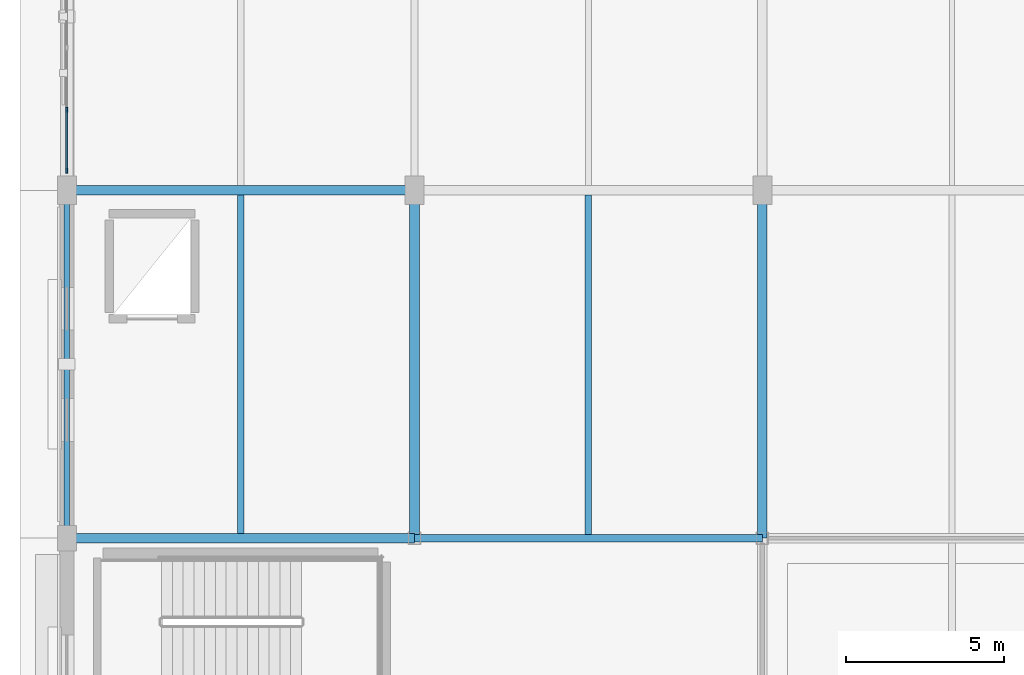
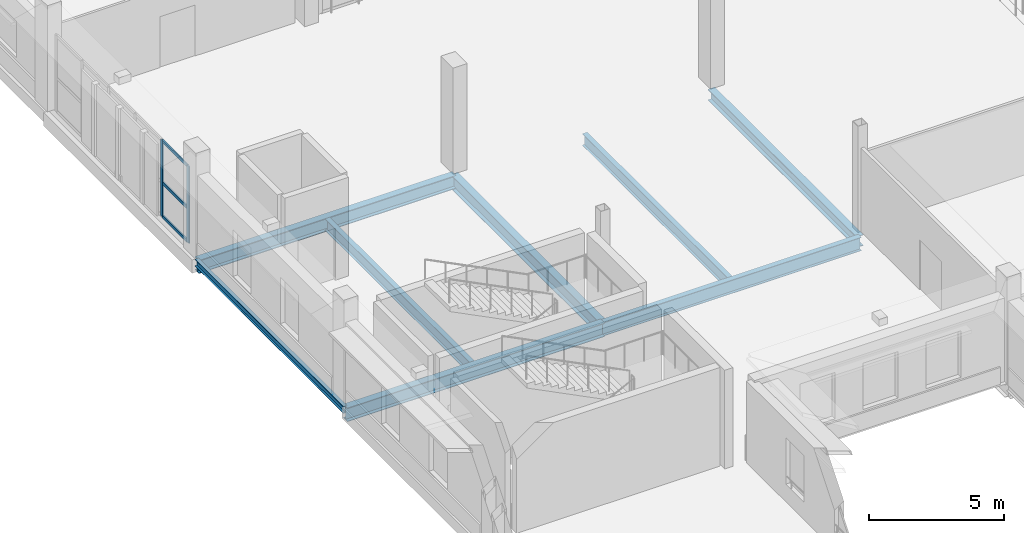
# One storey, part 26 of 143: 8 beams, 5 members, 1 element without a shape of its own.
"""IFC4 building model written with IfcOpenShell, lengths in metres."""

from ifc_helpers import new_model, si_unit, direction, frame, origin, origin_2d, place, context, subcontext, project, spatial, rectangle, i_section, extrude, material, material_profile, profile_set, type_object, element, aggregate, save


model = new_model("IFC4")

# Units and contexts
model_context = context("Model", 3, precision=1e-05, world=origin(), true_north=direction((0.0, 1.0)))
body_context = subcontext(model_context, "Body", "Model", "MODEL_VIEW")
ifc_project = project(units=[si_unit("LENGTHUNIT", "METRE"), si_unit("AREAUNIT", "SQUARE_METRE"), si_unit("VOLUMEUNIT", "CUBIC_METRE"), si_unit("PLANEANGLEUNIT", "RADIAN"), si_unit("MASSUNIT", "GRAM", prefix="KILO")], contexts=[model_context])

# Site, building, storey
site_placement = place(None, origin())
site = spatial("IfcSite", under=ifc_project, at=site_placement, CompositionType="ELEMENT")
building_placement = place(site_placement, origin())
building = spatial("IfcBuilding", under=site, at=building_placement, Name="Luwafu Chhajja Arena", CompositionType="ELEMENT")
storey_placement = place(building_placement, frame((0.0, 0.0, 5.39990234375)))
storey = spatial("IfcBuildingStorey", under=building, at=storey_placement, Name="L01", CompositionType="ELEMENT", Elevation=5.39990234375)

# Curtain wall, members
ifc_material_1 = material(Name="Anodised bronze aluminium", Category="aluminium")
curtain_wall_type = type_object("IfcCurtainWallType", Name="Bowl Concourse Chord Curtain Wall", PredefinedType="USERDEFINED", material=ifc_material_1)
curtain_wall_placement = place(storey_placement, origin())
curtain_wall = element("IfcCurtainWall", 1, at=curtain_wall_placement, inside=storey, type_object=curtain_wall_type, Name="L01 Curtain Wall CWG-L01-V00_04", ObjectType="CURTAIN WALL", PredefinedType="USERDEFINED")
ifc_material_profile_1 = material_profile(ifc_material_1, rectangle(XDim=0.06005859375, YDim=0.159912109375, at=origin_2d()), Name="CWM 60x160")
ifc_profile_set_1 = profile_set([ifc_material_profile_1], Name="Anodised bronze aluminium")
member_type_1 = type_object("IfcMemberType", Name="Bronze Curtain Wall Mullion 60x160", PredefinedType="MULLION", material=ifc_profile_set_1)
member_1_placement = place(storey_placement, frame((0.0, 44.6201171875, 0.030029296875), z_axis=(0.0, 0.0, 1.0), x_axis=(-1.0, 0.0, 0.0)))
member_1 = element("IfcMember", 2, at=member_1_placement, type_object=member_type_1, Name="CW-01 mullion 1", PredefinedType="MULLION", context=body_context, shape_type="SweptSolid", body=[
    extrude(rectangle(XDim=0.06005859375, YDim=0.159912109375, at=origin_2d()), origin(), (0.0, 0.0, 1.0), 3.4599609375),
])
member_2_placement = place(storey_placement, frame((0.0, 46.553955078125, 0.030029296875), z_axis=(0.0, 0.0, 1.0), x_axis=(-1.0, 0.0, 0.0)))
member_2 = element("IfcMember", 3, at=member_2_placement, type_object=member_type_1, Name="CW-01 mullion 2", PredefinedType="MULLION", context=body_context, shape_type="SweptSolid", body=[
    extrude(rectangle(XDim=0.06005859375, YDim=0.159912109375, at=origin_2d()), origin(), (0.0, 0.0, 1.0), 3.4599609375),
])
ifc_material_profile_2 = material_profile(ifc_material_1, rectangle(XDim=0.06005859375, YDim=0.1298828125, at=origin_2d()), Name="CWT 60x130")
ifc_profile_set_2 = profile_set([ifc_material_profile_2], Name="Anodised bronze aluminium")
member_type_2 = type_object("IfcMemberType", Name="Bronze Curtain Wall Transom 60x130", PredefinedType="USERDEFINED", material=ifc_profile_set_2)
member_3_placement = place(storey_placement, frame((0.0, 44.64990234375, 0.06005859375), z_axis=(0.0, 1.0, 0.0), x_axis=(-1.0, 0.0, 0.0)))
member_3 = element("IfcMember", 4, at=member_3_placement, type_object=member_type_2, Name="CW-01 transom 1.1", ObjectType="TRANSOM", PredefinedType="USERDEFINED", context=body_context, shape_type="SweptSolid", body=[
    extrude(rectangle(XDim=0.06005859375, YDim=0.1298828125, at=origin_2d()), origin(), (0.0, 0.0, 1.0), 1.8740234375),
])
member_4_placement = place(storey_placement, frame((0.0, 44.64990234375, 1.570556640625), z_axis=(0.0, 1.0, 0.0), x_axis=(-1.0, 0.0, 0.0)))
member_4 = element("IfcMember", 5, at=member_4_placement, type_object=member_type_2, Name="CW-01 transom 1.2", ObjectType="TRANSOM", PredefinedType="USERDEFINED", context=body_context, shape_type="SweptSolid", body=[
    extrude(rectangle(XDim=0.06005859375, YDim=0.1298828125, at=origin_2d()), origin(), (0.0, 0.0, 1.0), 1.8740234375),
])
member_5_placement = place(storey_placement, frame((0.0, 44.64990234375, 3.460205078125), z_axis=(0.0, 1.0, 0.0), x_axis=(-1.0, 0.0, 0.0)))
member_5 = element("IfcMember", 6, at=member_5_placement, type_object=member_type_2, Name="CW-01 transom 1.3", ObjectType="TRANSOM", PredefinedType="USERDEFINED", context=body_context, shape_type="SweptSolid", body=[
    extrude(rectangle(XDim=0.06005859375, YDim=0.1298828125, at=origin_2d()), origin(), (0.0, 0.0, 1.0), 1.8740234375),
])
aggregate(curtain_wall, [member_1, member_2, member_3, member_4, member_5])

# Beams
ifc_material_2 = material(Name="Steel S355", Category="steel")
ifc_material_profile_3 = material_profile(ifc_material_2, i_section(OverallWidth=0.165771484375, OverallDepth=0.306640625, WebThickness=0.006591796875, FlangeThickness=0.01171875, at=origin_2d()), Name="UB 305x165x46")
ifc_profile_set_3 = profile_set([ifc_material_profile_3], Name="Steel S355")
beam_type_1 = type_object("IfcBeamType", Name="Concourse Edge Spandrel Beam UB 305x165x46", PredefinedType="SPANDREL", material=ifc_profile_set_3)
beam_1_placement = place(storey_placement, frame((0.0, 33.0, -0.483154296875), z_axis=(0.0, 1.0, 0.0), x_axis=(-1.0, 0.0, 0.0)))
element("IfcBeam", 7, at=beam_1_placement, inside=storey, type_object=beam_type_1, Name="L01 Grid Beam 1/D-E", PredefinedType="SPANDREL", context=body_context, shape_type="SweptSolid", body=[
    extrude(i_section(OverallWidth=0.165771484375, OverallDepth=0.306640625, WebThickness=0.006591796875, FlangeThickness=0.01171875, at=origin_2d()), origin(), (0.0, 0.0, 1.0), 11.0),
])
ifc_material_profile_4 = material_profile(ifc_material_2, i_section(OverallWidth=0.2099609375, OverallDepth=0.53662109375, WebThickness=0.0107421875, FlangeThickness=0.017333984375, at=origin_2d()), Name="UB 533x210x101")
ifc_profile_set_4 = profile_set([ifc_material_profile_4], Name="Steel S355")
beam_type_2 = type_object("IfcBeamType", Name="Floor Joist UB 533x210x101", PredefinedType="JOIST", material=ifc_profile_set_4)
beam_2_placement = place(storey_placement, frame((5.5, 33.153564453125, -0.59814453125), z_axis=(0.0, 1.0, 0.0), x_axis=(-1.0, 0.0, 0.0)))
element("IfcBeam", 8, at=beam_2_placement, inside=storey, type_object=beam_type_2, Name="L01 Secondary Joist 1-2/D", PredefinedType="JOIST", context=body_context, shape_type="SweptSolid", body=[
    extrude(i_section(OverallWidth=0.2099609375, OverallDepth=0.53662109375, WebThickness=0.0107421875, FlangeThickness=0.017333984375, at=origin_2d()), origin(), (0.0, 0.0, 1.0), 10.696533203125),
])
ifc_material_profile_5 = material_profile(ifc_material_2, i_section(OverallWidth=0.209228515625, OverallDepth=0.533203125, WebThickness=0.010009765625, FlangeThickness=0.015625, at=origin_2d()), Name="UB 533x210x92")
ifc_profile_set_5 = profile_set([ifc_material_profile_5], Name="Steel S355")
beam_type_3 = type_object("IfcBeamType", Name="Floor Joist UB 533x210x92", PredefinedType="JOIST", material=ifc_profile_set_5)
beam_3_placement = place(storey_placement, frame((16.5, 33.114501953125, -0.596435546875), z_axis=(0.0, 1.0, 0.0), x_axis=(-1.0, 0.0, 0.0)))
element("IfcBeam", 9, at=beam_3_placement, inside=storey, type_object=beam_type_3, Name="L01 Secondary Joist 2-3/D", PredefinedType="JOIST", context=body_context, shape_type="SweptSolid", body=[
    extrude(i_section(OverallWidth=0.209228515625, OverallDepth=0.533203125, WebThickness=0.010009765625, FlangeThickness=0.015625, at=origin_2d()), origin(), (0.0, 0.0, 1.0), 10.735595703125),
])
ifc_material_profile_6 = material_profile(ifc_material_2, i_section(OverallWidth=0.300048828125, OverallDepth=0.5, WebThickness=0.014404296875, FlangeThickness=0.028076171875, at=origin_2d()), Name="HEB 500")
ifc_profile_set_6 = profile_set([ifc_material_profile_6], Name="Steel S355")
beam_type_4 = type_object("IfcBeamType", Name="Steel Atrium Tie Girder HEB 500", PredefinedType="BEAM", material=ifc_profile_set_6)
beam_4_placement = place(storey_placement, frame((22.0, 33.0, -0.579833984375), z_axis=(0.0, 1.0, 0.0), x_axis=(-1.0, 0.0, 0.0)))
element("IfcBeam", 10, at=beam_4_placement, inside=storey, type_object=beam_type_4, Name="L01 Grid Beam 3/D-E", PredefinedType="BEAM", context=body_context, shape_type="SweptSolid", body=[
    extrude(i_section(OverallWidth=0.300048828125, OverallDepth=0.5, WebThickness=0.014404296875, FlangeThickness=0.028076171875, at=origin_2d()), origin(), (0.0, 0.0, 1.0), 11.0),
])
ifc_material_profile_7 = material_profile(ifc_material_2, i_section(OverallWidth=0.300048828125, OverallDepth=0.60009765625, WebThickness=0.015380859375, FlangeThickness=0.030029296875, at=origin_2d()), Name="HEB 600")
ifc_profile_set_7 = profile_set([ifc_material_profile_7], Name="Steel S355")
beam_type_5 = type_object("IfcBeamType", Name="Steel Gallery Girder HEB 600", PredefinedType="BEAM", material=ifc_profile_set_7)
beam_5_placement = place(storey_placement, frame((0.0, 44.0, -0.6298828125), z_axis=(1.0, 0.0, 0.0), x_axis=(0.0, 1.0, 0.0)))
element("IfcBeam", 11, at=beam_5_placement, inside=storey, type_object=beam_type_5, Name="L01 Grid Beam 1-2/E", PredefinedType="BEAM", context=body_context, shape_type="SweptSolid", body=[
    extrude(i_section(OverallWidth=0.300048828125, OverallDepth=0.60009765625, WebThickness=0.015380859375, FlangeThickness=0.030029296875, at=origin_2d()), origin(), (0.0, 0.0, 1.0), 11.0),
])
ifc_material_profile_8 = material_profile(ifc_material_2, i_section(OverallWidth=0.30712890625, OverallDepth=0.6201171875, WebThickness=0.01416015625, FlangeThickness=0.023681640625, at=origin_2d()), Name="UB 610x305x179")
ifc_profile_set_8 = profile_set([ifc_material_profile_8], Name="Steel S355")
beam_type_6 = type_object("IfcBeamType", Name="Steel Hospitality Girder UB 610x305x179", PredefinedType="BEAM", material=ifc_profile_set_8)
for number, where, z_axis, x_axis, name in (
    (12, (0.0, 33.0, -0.639892578125), (1.0, 0.0, 0.0), (0.0, 1.0, 0.0), "L01 Grid Beam 1-2/D"),
    (13, (11.0, 33.0, -0.639892578125), (0.0, 1.0, 0.0), (-1.0, 0.0, 0.0), "L01 Grid Beam 2/D-E"),
):
    element("IfcBeam", number, at=place(storey_placement, frame(where, z_axis=z_axis, x_axis=x_axis)), inside=storey, type_object=beam_type_6, Name=name, PredefinedType="BEAM", context=body_context, shape_type="SweptSolid", body=[
        extrude(i_section(OverallWidth=0.30712890625, OverallDepth=0.6201171875, WebThickness=0.01416015625, FlangeThickness=0.023681640625, at=origin_2d()), origin(), (0.0, 0.0, 1.0), 11.0),
    ])
ifc_material_profile_9 = material_profile(ifc_material_2, i_section(OverallWidth=0.22900390625, OverallDepth=0.6123046875, WebThickness=0.011962890625, FlangeThickness=0.01953125, at=origin_2d()), Name="UB 610x229x125")
ifc_profile_set_9 = profile_set([ifc_material_profile_9], Name="Steel S355")
beam_type_7 = type_object("IfcBeamType", Name="Steel Mezzanine Girder UB 610x229x125", PredefinedType="BEAM", material=ifc_profile_set_9)
beam_6_placement = place(storey_placement, frame((11.0, 33.0, -0.635986328125), z_axis=(1.0, 0.0, 0.0), x_axis=(0.0, 1.0, 0.0)))
element("IfcBeam", 14, at=beam_6_placement, inside=storey, type_object=beam_type_7, Name="L01 Grid Beam 2-3/D", PredefinedType="BEAM", context=body_context, shape_type="SweptSolid", body=[
    extrude(i_section(OverallWidth=0.22900390625, OverallDepth=0.6123046875, WebThickness=0.011962890625, FlangeThickness=0.01953125, at=origin_2d()), origin(), (0.0, 0.0, 1.0), 11.0),
])

save(model, "model.ifc")
